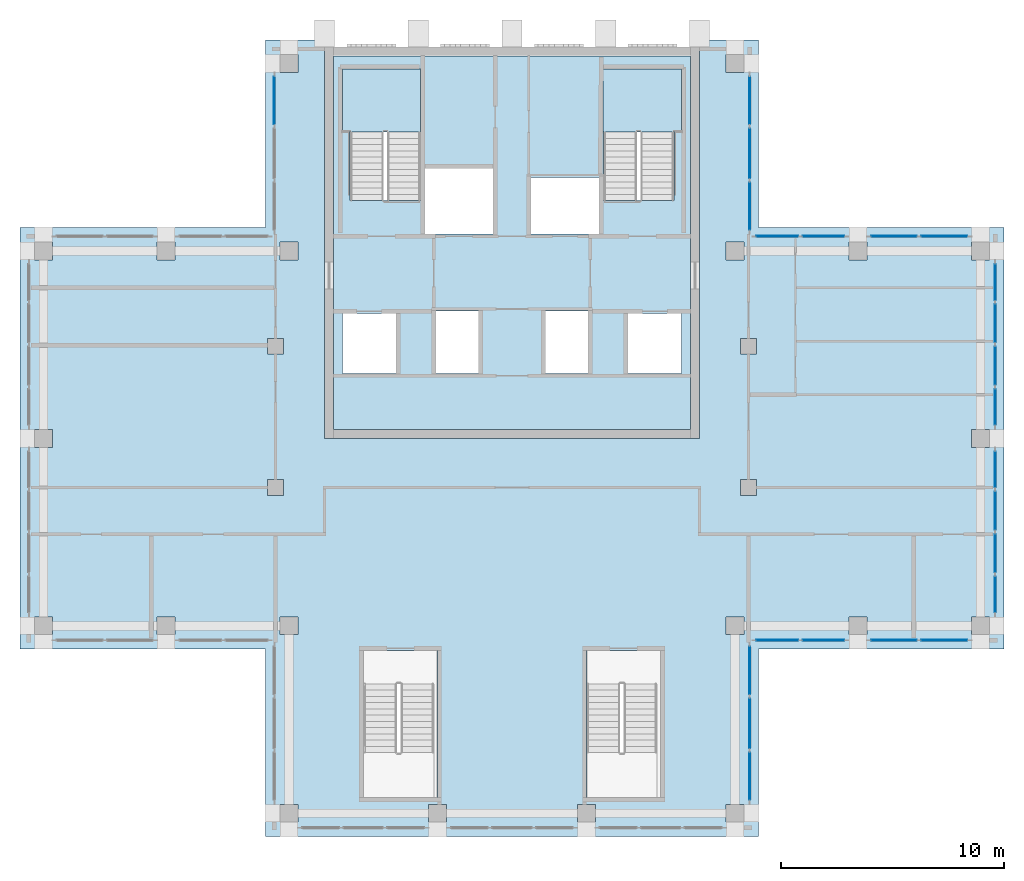
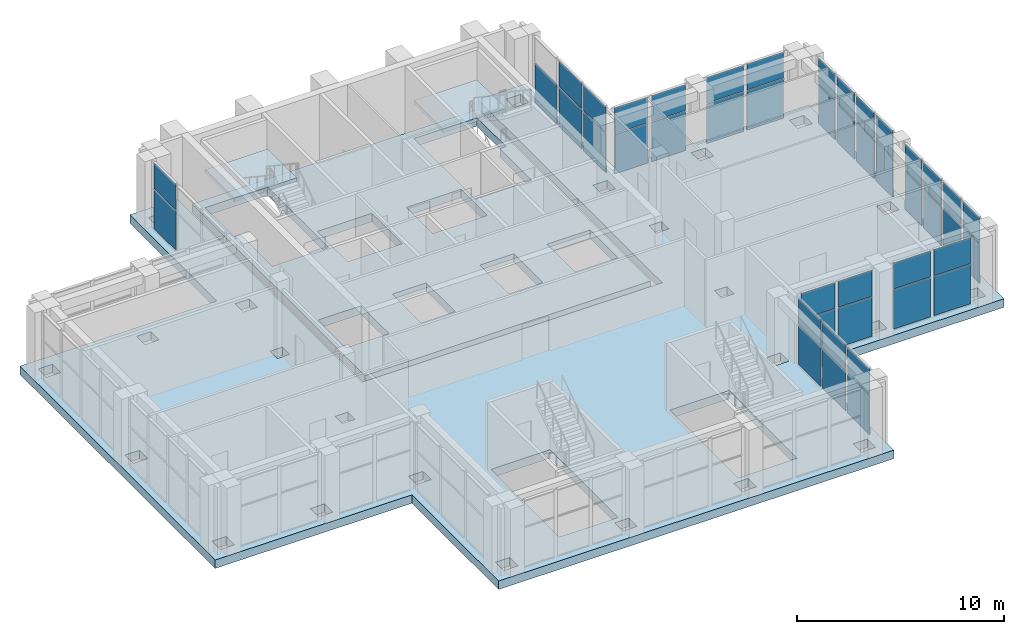
# One storey, part 8 of 14: 45 plates, 4 slabs, 11 elements without a shape of their own.
"""IFC4 building model written with IfcOpenShell, lengths in metres."""

from ifc_helpers import new_model, si_unit, direction, frame, origin, origin_2d, place, context, subcontext, project, spatial, polyline, rectangle, outline, extrude, material, layer, layer_set, type_object, element, aggregate, save


model = new_model("IFC4")

# Units and contexts
model_context = context("Model", 3, precision=1e-05, world=origin(), true_north=direction((0.0, 1.0)))
body_context = subcontext(model_context, "Body", "Model", "MODEL_VIEW")
ifc_project = project(units=[si_unit("LENGTHUNIT", "METRE"), si_unit("AREAUNIT", "SQUARE_METRE"), si_unit("VOLUMEUNIT", "CUBIC_METRE"), si_unit("PLANEANGLEUNIT", "RADIAN"), si_unit("MASSUNIT", "GRAM", prefix="KILO")], contexts=[model_context])

# Site, building, storey
site_placement = place(None, origin())
site = spatial("IfcSite", under=ifc_project, at=site_placement, CompositionType="ELEMENT")
building_placement = place(site_placement, origin())
building = spatial("IfcBuilding", under=site, at=building_placement, Name="Vermilion Ogive Tower", CompositionType="ELEMENT")
storey_placement = place(building_placement, frame((0.0, 0.0, 273.85009765625)))
storey = spatial("IfcBuildingStorey", under=building, at=storey_placement, Name="L72", CompositionType="ELEMENT", Elevation=273.85009765625)

# Curtain wall, plates
ifc_material_1 = material(Name="Laminated solar-control glazing in aluminium frame", Category="aluminium")
curtain_wall_type = type_object("IfcCurtainWallType", Name="Curtain wall CW4", PredefinedType="NOTDEFINED", material=ifc_material_1)
curtain_wall_1_placement = place(storey_placement, origin())
curtain_wall_1 = element("IfcCurtainWall", 1, at=curtain_wall_1_placement, inside=storey, type_object=curtain_wall_type, Name="CW4 glazing X11", PredefinedType="NOTDEFINED")
ifc_material_2 = material(Name="Laminated solar-control glazing in aluminium frame", Category="aluminium")
ifc_layer_1 = layer(ifc_material_2, 0.0400390625)
ifc_layer_set_1 = layer_set([ifc_layer_1], Name="CW4 glazing panel 40")
plate_type = type_object("IfcPlateType", Name="CW4 glazing panel 40", PredefinedType="CURTAIN_PANEL", material=ifc_layer_set_1)
plate_1_placement = place(storey_placement, frame((10.64990234375, -10.941650390625, 0.059814453125), z_axis=(0.0, 0.0, 1.0), x_axis=(0.0, 1.0, 0.0)))
plate_1 = element("IfcPlate", 2, at=plate_1_placement, type_object=plate_type, Name="CW4-X11 panel 1.1", PredefinedType="CURTAIN_PANEL", context=body_context, shape_type="SweptSolid", body=[
    extrude(rectangle(XDim=2.11669921875, YDim=0.0400390625, at=origin_2d()), origin(), (0.0, 0.0, 1.0), 2.31005859375),
])
plate_2_placement = place(storey_placement, frame((10.64990234375, -10.941650390625, 2.4296875), z_axis=(0.0, 0.0, 1.0), x_axis=(0.0, 1.0, 0.0)))
plate_2 = element("IfcPlate", 3, at=plate_2_placement, type_object=plate_type, Name="CW4-X11 panel 1.2", PredefinedType="CURTAIN_PANEL", context=body_context, shape_type="SweptSolid", body=[
    extrude(rectangle(XDim=2.11669921875, YDim=0.0400390625, at=origin_2d()), origin(), (0.0, 0.0, 1.0), 1.510009765625),
])
plate_3_placement = place(storey_placement, frame((10.64990234375, -8.574951171875, 0.059814453125), z_axis=(0.0, 0.0, 1.0), x_axis=(0.0, 1.0, 0.0)))
plate_3 = element("IfcPlate", 4, at=plate_3_placement, type_object=plate_type, Name="CW4-X11 panel 2.1", PredefinedType="CURTAIN_PANEL", context=body_context, shape_type="SweptSolid", body=[
    extrude(rectangle(XDim=2.216552734375, YDim=0.0400390625, at=origin_2d()), origin(), (0.0, 0.0, 1.0), 2.31005859375),
])
plate_4_placement = place(storey_placement, frame((10.64990234375, -8.574951171875, 2.4296875), z_axis=(0.0, 0.0, 1.0), x_axis=(0.0, 1.0, 0.0)))
plate_4 = element("IfcPlate", 5, at=plate_4_placement, type_object=plate_type, Name="CW4-X11 panel 2.2", PredefinedType="CURTAIN_PANEL", context=body_context, shape_type="SweptSolid", body=[
    extrude(rectangle(XDim=2.216552734375, YDim=0.0400390625, at=origin_2d()), origin(), (0.0, 0.0, 1.0), 1.510009765625),
])
plate_5_placement = place(storey_placement, frame((10.64990234375, -6.208251953125, 0.059814453125), z_axis=(0.0, 0.0, 1.0), x_axis=(0.0, 1.0, 0.0)))
plate_5 = element("IfcPlate", 6, at=plate_5_placement, type_object=plate_type, Name="CW4-X11 panel 3.1", PredefinedType="CURTAIN_PANEL", context=body_context, shape_type="SweptSolid", body=[
    extrude(rectangle(XDim=2.11669921875, YDim=0.0400390625, at=origin_2d()), origin(), (0.0, 0.0, 1.0), 2.31005859375),
])
plate_6_placement = place(storey_placement, frame((10.64990234375, -6.208251953125, 2.4296875), z_axis=(0.0, 0.0, 1.0), x_axis=(0.0, 1.0, 0.0)))
plate_6 = element("IfcPlate", 7, at=plate_6_placement, type_object=plate_type, Name="CW4-X11 panel 3.2", PredefinedType="CURTAIN_PANEL", context=body_context, shape_type="SweptSolid", body=[
    extrude(rectangle(XDim=2.11669921875, YDim=0.0400390625, at=origin_2d()), origin(), (0.0, 0.0, 1.0), 1.510009765625),
])
aggregate(curtain_wall_1, [plate_1, plate_2, plate_3, plate_4, plate_5, plate_6])

curtain_wall_2_placement = place(storey_placement, origin())
curtain_wall_2 = element("IfcCurtainWall", 8, at=curtain_wall_2_placement, inside=storey, type_object=curtain_wall_type, Name="CW4 glazing X21", PredefinedType="NOTDEFINED")
plate_7_placement = place(storey_placement, frame((11.887451171875, -4.85009765625, 0.059814453125), z_axis=(0.0, 0.0, 1.0), x_axis=(1.0, 0.0, 0.0)))
plate_7 = element("IfcPlate", 9, at=plate_7_placement, type_object=plate_type, Name="CW4-X21 panel 1.1", PredefinedType="CURTAIN_PANEL", context=body_context, shape_type="SweptSolid", body=[
    extrude(rectangle(XDim=1.875, YDim=0.0400390625, at=origin_2d()), origin(), (0.0, 0.0, 1.0), 2.31005859375),
])
plate_8_placement = place(storey_placement, frame((11.887451171875, -4.85009765625, 2.4296875), z_axis=(0.0, 0.0, 1.0), x_axis=(1.0, 0.0, 0.0)))
plate_8 = element("IfcPlate", 10, at=plate_8_placement, type_object=plate_type, Name="CW4-X21 panel 1.2", PredefinedType="CURTAIN_PANEL", context=body_context, shape_type="SweptSolid", body=[
    extrude(rectangle(XDim=1.875, YDim=0.0400390625, at=origin_2d()), origin(), (0.0, 0.0, 1.0), 1.510009765625),
])
plate_9_placement = place(storey_placement, frame((13.96240234375, -4.85009765625, 0.059814453125), z_axis=(0.0, 0.0, 1.0), x_axis=(1.0, 0.0, 0.0)))
plate_9 = element("IfcPlate", 11, at=plate_9_placement, type_object=plate_type, Name="CW4-X21 panel 2.1", PredefinedType="CURTAIN_PANEL", context=body_context, shape_type="SweptSolid", body=[
    extrude(rectangle(XDim=1.875, YDim=0.0400390625, at=origin_2d()), origin(), (0.0, 0.0, 1.0), 2.31005859375),
])
plate_10_placement = place(storey_placement, frame((13.96240234375, -4.85009765625, 2.4296875), z_axis=(0.0, 0.0, 1.0), x_axis=(1.0, 0.0, 0.0)))
plate_10 = element("IfcPlate", 12, at=plate_10_placement, type_object=plate_type, Name="CW4-X21 panel 2.2", PredefinedType="CURTAIN_PANEL", context=body_context, shape_type="SweptSolid", body=[
    extrude(rectangle(XDim=1.875, YDim=0.0400390625, at=origin_2d()), origin(), (0.0, 0.0, 1.0), 1.510009765625),
])
aggregate(curtain_wall_2, [plate_7, plate_8, plate_9, plate_10])

curtain_wall_3_placement = place(storey_placement, origin())
curtain_wall_3 = element("IfcCurtainWall", 13, at=curtain_wall_3_placement, inside=storey, type_object=curtain_wall_type, Name="CW4 glazing X22", PredefinedType="NOTDEFINED")
plate_11_placement = place(storey_placement, frame((17.125, -4.85009765625, 0.059814453125), z_axis=(0.0, 0.0, 1.0), x_axis=(1.0, 0.0, 0.0)))
plate_11 = element("IfcPlate", 14, at=plate_11_placement, type_object=plate_type, Name="CW4-X22 panel 1.1", PredefinedType="CURTAIN_PANEL", context=body_context, shape_type="SweptSolid", body=[
    extrude(rectangle(XDim=2.050048828125, YDim=0.0400390625, at=origin_2d()), origin(), (0.0, 0.0, 1.0), 2.31005859375),
])
plate_12_placement = place(storey_placement, frame((17.125, -4.85009765625, 2.4296875), z_axis=(0.0, 0.0, 1.0), x_axis=(1.0, 0.0, 0.0)))
plate_12 = element("IfcPlate", 15, at=plate_12_placement, type_object=plate_type, Name="CW4-X22 panel 1.2", PredefinedType="CURTAIN_PANEL", context=body_context, shape_type="SweptSolid", body=[
    extrude(rectangle(XDim=2.050048828125, YDim=0.0400390625, at=origin_2d()), origin(), (0.0, 0.0, 1.0), 1.510009765625),
])
plate_13_placement = place(storey_placement, frame((19.375, -4.85009765625, 0.059814453125), z_axis=(0.0, 0.0, 1.0), x_axis=(1.0, 0.0, 0.0)))
plate_13 = element("IfcPlate", 16, at=plate_13_placement, type_object=plate_type, Name="CW4-X22 panel 2.1", PredefinedType="CURTAIN_PANEL", context=body_context, shape_type="SweptSolid", body=[
    extrude(rectangle(XDim=2.050048828125, YDim=0.0400390625, at=origin_2d()), origin(), (0.0, 0.0, 1.0), 2.31005859375),
])
plate_14_placement = place(storey_placement, frame((19.375, -4.85009765625, 2.4296875), z_axis=(0.0, 0.0, 1.0), x_axis=(1.0, 0.0, 0.0)))
plate_14 = element("IfcPlate", 17, at=plate_14_placement, type_object=plate_type, Name="CW4-X22 panel 2.2", PredefinedType="CURTAIN_PANEL", context=body_context, shape_type="SweptSolid", body=[
    extrude(rectangle(XDim=2.050048828125, YDim=0.0400390625, at=origin_2d()), origin(), (0.0, 0.0, 1.0), 1.510009765625),
])
aggregate(curtain_wall_3, [plate_11, plate_12, plate_13, plate_14])

curtain_wall_4_placement = place(storey_placement, origin())
curtain_wall_4 = element("IfcCurtainWall", 18, at=curtain_wall_4_placement, inside=storey, type_object=curtain_wall_type, Name="CW4 glazing E1", PredefinedType="NOTDEFINED")
plate_15_placement = place(storey_placement, frame((21.64990234375, -2.800048828125, 0.059814453125), z_axis=(0.0, 0.0, 1.0), x_axis=(0.0, 1.0, 0.0)))
plate_15 = element("IfcPlate", 19, at=plate_15_placement, type_object=plate_type, Name="CW4-E1 panel 1.1", PredefinedType="CURTAIN_PANEL", context=body_context, shape_type="SweptSolid", body=[
    extrude(rectangle(XDim=1.60009765625, YDim=0.0400390625, at=origin_2d()), origin(), (0.0, 0.0, 1.0), 2.31005859375),
])
plate_16_placement = place(storey_placement, frame((21.64990234375, -2.800048828125, 2.4296875), z_axis=(0.0, 0.0, 1.0), x_axis=(0.0, 1.0, 0.0)))
plate_16 = element("IfcPlate", 20, at=plate_16_placement, type_object=plate_type, Name="CW4-E1 panel 1.2", PredefinedType="CURTAIN_PANEL", context=body_context, shape_type="SweptSolid", body=[
    extrude(rectangle(XDim=1.60009765625, YDim=0.0400390625, at=origin_2d()), origin(), (0.0, 0.0, 1.0), 1.510009765625),
])
plate_17_placement = place(storey_placement, frame((21.64990234375, -0.949951171875, 0.059814453125), z_axis=(0.0, 0.0, 1.0), x_axis=(0.0, 1.0, 0.0)))
plate_17 = element("IfcPlate", 21, at=plate_17_placement, type_object=plate_type, Name="CW4-E1 panel 2.1", PredefinedType="CURTAIN_PANEL", context=body_context, shape_type="SweptSolid", body=[
    extrude(rectangle(XDim=1.699951171875, YDim=0.0400390625, at=origin_2d()), origin(), (0.0, 0.0, 1.0), 2.31005859375),
])
plate_18_placement = place(storey_placement, frame((21.64990234375, -0.949951171875, 2.4296875), z_axis=(0.0, 0.0, 1.0), x_axis=(0.0, 1.0, 0.0)))
plate_18 = element("IfcPlate", 22, at=plate_18_placement, type_object=plate_type, Name="CW4-E1 panel 2.2", PredefinedType="CURTAIN_PANEL", context=body_context, shape_type="SweptSolid", body=[
    extrude(rectangle(XDim=1.699951171875, YDim=0.0400390625, at=origin_2d()), origin(), (0.0, 0.0, 1.0), 1.510009765625),
])
plate_19_placement = place(storey_placement, frame((21.64990234375, 0.949951171875, 0.059814453125), z_axis=(0.0, 0.0, 1.0), x_axis=(0.0, 1.0, 0.0)))
plate_19 = element("IfcPlate", 23, at=plate_19_placement, type_object=plate_type, Name="CW4-E1 panel 3.1", PredefinedType="CURTAIN_PANEL", context=body_context, shape_type="SweptSolid", body=[
    extrude(rectangle(XDim=1.699951171875, YDim=0.0400390625, at=origin_2d()), origin(), (0.0, 0.0, 1.0), 2.31005859375),
])
plate_20_placement = place(storey_placement, frame((21.64990234375, 0.949951171875, 2.4296875), z_axis=(0.0, 0.0, 1.0), x_axis=(0.0, 1.0, 0.0)))
plate_20 = element("IfcPlate", 24, at=plate_20_placement, type_object=plate_type, Name="CW4-E1 panel 3.2", PredefinedType="CURTAIN_PANEL", context=body_context, shape_type="SweptSolid", body=[
    extrude(rectangle(XDim=1.699951171875, YDim=0.0400390625, at=origin_2d()), origin(), (0.0, 0.0, 1.0), 1.510009765625),
])
plate_21_placement = place(storey_placement, frame((21.64990234375, 2.800048828125, 0.059814453125), z_axis=(0.0, 0.0, 1.0), x_axis=(0.0, 1.0, 0.0)))
plate_21 = element("IfcPlate", 25, at=plate_21_placement, type_object=plate_type, Name="CW4-E1 panel 4.1", PredefinedType="CURTAIN_PANEL", context=body_context, shape_type="SweptSolid", body=[
    extrude(rectangle(XDim=1.60009765625, YDim=0.0400390625, at=origin_2d()), origin(), (0.0, 0.0, 1.0), 2.31005859375),
])
plate_22_placement = place(storey_placement, frame((21.64990234375, 2.800048828125, 2.4296875), z_axis=(0.0, 0.0, 1.0), x_axis=(0.0, 1.0, 0.0)))
plate_22 = element("IfcPlate", 26, at=plate_22_placement, type_object=plate_type, Name="CW4-E1 panel 4.2", PredefinedType="CURTAIN_PANEL", context=body_context, shape_type="SweptSolid", body=[
    extrude(rectangle(XDim=1.60009765625, YDim=0.0400390625, at=origin_2d()), origin(), (0.0, 0.0, 1.0), 1.510009765625),
])
aggregate(curtain_wall_4, [plate_15, plate_16, plate_17, plate_18, plate_19, plate_20, plate_21, plate_22])

curtain_wall_5_placement = place(storey_placement, origin())
curtain_wall_5 = element("IfcCurtainWall", 27, at=curtain_wall_5_placement, inside=storey, type_object=curtain_wall_type, Name="CW4 glazing E2", PredefinedType="NOTDEFINED")
plate_23_placement = place(storey_placement, frame((21.64990234375, 5.60009765625, 0.059814453125), z_axis=(0.0, 0.0, 1.0), x_axis=(0.0, 1.0, 0.0)))
plate_23 = element("IfcPlate", 28, at=plate_23_placement, type_object=plate_type, Name="CW4-E2 panel 1.1", PredefinedType="CURTAIN_PANEL", context=body_context, shape_type="SweptSolid", body=[
    extrude(rectangle(XDim=1.60009765625, YDim=0.0400390625, at=origin_2d()), origin(), (0.0, 0.0, 1.0), 2.31005859375),
])
plate_24_placement = place(storey_placement, frame((21.64990234375, 5.60009765625, 2.4296875), z_axis=(0.0, 0.0, 1.0), x_axis=(0.0, 1.0, 0.0)))
plate_24 = element("IfcPlate", 29, at=plate_24_placement, type_object=plate_type, Name="CW4-E2 panel 1.2", PredefinedType="CURTAIN_PANEL", context=body_context, shape_type="SweptSolid", body=[
    extrude(rectangle(XDim=1.60009765625, YDim=0.0400390625, at=origin_2d()), origin(), (0.0, 0.0, 1.0), 1.510009765625),
])
plate_25_placement = place(storey_placement, frame((21.64990234375, 7.449951171875, 0.059814453125), z_axis=(0.0, 0.0, 1.0), x_axis=(0.0, 1.0, 0.0)))
plate_25 = element("IfcPlate", 30, at=plate_25_placement, type_object=plate_type, Name="CW4-E2 panel 2.1", PredefinedType="CURTAIN_PANEL", context=body_context, shape_type="SweptSolid", body=[
    extrude(rectangle(XDim=1.699951171875, YDim=0.0400390625, at=origin_2d()), origin(), (0.0, 0.0, 1.0), 2.31005859375),
])
plate_26_placement = place(storey_placement, frame((21.64990234375, 7.449951171875, 2.4296875), z_axis=(0.0, 0.0, 1.0), x_axis=(0.0, 1.0, 0.0)))
plate_26 = element("IfcPlate", 31, at=plate_26_placement, type_object=plate_type, Name="CW4-E2 panel 2.2", PredefinedType="CURTAIN_PANEL", context=body_context, shape_type="SweptSolid", body=[
    extrude(rectangle(XDim=1.699951171875, YDim=0.0400390625, at=origin_2d()), origin(), (0.0, 0.0, 1.0), 1.510009765625),
])
plate_27_placement = place(storey_placement, frame((21.64990234375, 9.35009765625, 0.059814453125), z_axis=(0.0, 0.0, 1.0), x_axis=(0.0, 1.0, 0.0)))
plate_27 = element("IfcPlate", 32, at=plate_27_placement, type_object=plate_type, Name="CW4-E2 panel 3.1", PredefinedType="CURTAIN_PANEL", context=body_context, shape_type="SweptSolid", body=[
    extrude(rectangle(XDim=1.699951171875, YDim=0.0400390625, at=origin_2d()), origin(), (0.0, 0.0, 1.0), 2.31005859375),
])
plate_28_placement = place(storey_placement, frame((21.64990234375, 9.35009765625, 2.4296875), z_axis=(0.0, 0.0, 1.0), x_axis=(0.0, 1.0, 0.0)))
plate_28 = element("IfcPlate", 33, at=plate_28_placement, type_object=plate_type, Name="CW4-E2 panel 3.2", PredefinedType="CURTAIN_PANEL", context=body_context, shape_type="SweptSolid", body=[
    extrude(rectangle(XDim=1.699951171875, YDim=0.0400390625, at=origin_2d()), origin(), (0.0, 0.0, 1.0), 1.510009765625),
])
plate_29_placement = place(storey_placement, frame((21.64990234375, 11.199951171875, 0.059814453125), z_axis=(0.0, 0.0, 1.0), x_axis=(0.0, 1.0, 0.0)))
plate_29 = element("IfcPlate", 34, at=plate_29_placement, type_object=plate_type, Name="CW4-E2 panel 4.1", PredefinedType="CURTAIN_PANEL", context=body_context, shape_type="SweptSolid", body=[
    extrude(rectangle(XDim=1.60009765625, YDim=0.0400390625, at=origin_2d()), origin(), (0.0, 0.0, 1.0), 2.31005859375),
])
plate_30_placement = place(storey_placement, frame((21.64990234375, 11.199951171875, 2.4296875), z_axis=(0.0, 0.0, 1.0), x_axis=(0.0, 1.0, 0.0)))
plate_30 = element("IfcPlate", 35, at=plate_30_placement, type_object=plate_type, Name="CW4-E2 panel 4.2", PredefinedType="CURTAIN_PANEL", context=body_context, shape_type="SweptSolid", body=[
    extrude(rectangle(XDim=1.60009765625, YDim=0.0400390625, at=origin_2d()), origin(), (0.0, 0.0, 1.0), 1.510009765625),
])
aggregate(curtain_wall_5, [plate_23, plate_24, plate_25, plate_26, plate_27, plate_28, plate_29, plate_30])

curtain_wall_6_placement = place(storey_placement, origin())
curtain_wall_6 = element("IfcCurtainWall", 36, at=curtain_wall_6_placement, inside=storey, type_object=curtain_wall_type, Name="CW4 glazing X31", PredefinedType="NOTDEFINED")
plate_31_placement = place(storey_placement, frame((19.375, 13.25, 0.059814453125), z_axis=(0.0, 0.0, 1.0), x_axis=(-1.0, 0.0, 0.0)))
plate_31 = element("IfcPlate", 37, at=plate_31_placement, type_object=plate_type, Name="CW4-X31 panel 1.1", PredefinedType="CURTAIN_PANEL", context=body_context, shape_type="SweptSolid", body=[
    extrude(rectangle(XDim=2.050048828125, YDim=0.0400390625, at=origin_2d()), origin(), (0.0, 0.0, 1.0), 2.31005859375),
])
plate_32_placement = place(storey_placement, frame((19.375, 13.25, 2.4296875), z_axis=(0.0, 0.0, 1.0), x_axis=(-1.0, 0.0, 0.0)))
plate_32 = element("IfcPlate", 38, at=plate_32_placement, type_object=plate_type, Name="CW4-X31 panel 1.2", PredefinedType="CURTAIN_PANEL", context=body_context, shape_type="SweptSolid", body=[
    extrude(rectangle(XDim=2.050048828125, YDim=0.0400390625, at=origin_2d()), origin(), (0.0, 0.0, 1.0), 1.510009765625),
])
plate_33_placement = place(storey_placement, frame((17.125, 13.25, 0.059814453125), z_axis=(0.0, 0.0, 1.0), x_axis=(-1.0, 0.0, 0.0)))
plate_33 = element("IfcPlate", 39, at=plate_33_placement, type_object=plate_type, Name="CW4-X31 panel 2.1", PredefinedType="CURTAIN_PANEL", context=body_context, shape_type="SweptSolid", body=[
    extrude(rectangle(XDim=2.050048828125, YDim=0.0400390625, at=origin_2d()), origin(), (0.0, 0.0, 1.0), 2.31005859375),
])
plate_34_placement = place(storey_placement, frame((17.125, 13.25, 2.4296875), z_axis=(0.0, 0.0, 1.0), x_axis=(-1.0, 0.0, 0.0)))
plate_34 = element("IfcPlate", 40, at=plate_34_placement, type_object=plate_type, Name="CW4-X31 panel 2.2", PredefinedType="CURTAIN_PANEL", context=body_context, shape_type="SweptSolid", body=[
    extrude(rectangle(XDim=2.050048828125, YDim=0.0400390625, at=origin_2d()), origin(), (0.0, 0.0, 1.0), 1.510009765625),
])
aggregate(curtain_wall_6, [plate_31, plate_32, plate_33, plate_34])

curtain_wall_7_placement = place(storey_placement, origin())
curtain_wall_7 = element("IfcCurtainWall", 41, at=curtain_wall_7_placement, inside=storey, type_object=curtain_wall_type, Name="CW4 glazing X32", PredefinedType="NOTDEFINED")
plate_35_placement = place(storey_placement, frame((13.96240234375, 13.25, 0.059814453125), z_axis=(0.0, 0.0, 1.0), x_axis=(-1.0, 0.0, 0.0)))
plate_35 = element("IfcPlate", 42, at=plate_35_placement, type_object=plate_type, Name="CW4-X32 panel 1.1", PredefinedType="CURTAIN_PANEL", context=body_context, shape_type="SweptSolid", body=[
    extrude(rectangle(XDim=1.875, YDim=0.0400390625, at=origin_2d()), origin(), (0.0, 0.0, 1.0), 2.31005859375),
])
plate_36_placement = place(storey_placement, frame((13.96240234375, 13.25, 2.4296875), z_axis=(0.0, 0.0, 1.0), x_axis=(-1.0, 0.0, 0.0)))
plate_36 = element("IfcPlate", 43, at=plate_36_placement, type_object=plate_type, Name="CW4-X32 panel 1.2", PredefinedType="CURTAIN_PANEL", context=body_context, shape_type="SweptSolid", body=[
    extrude(rectangle(XDim=1.875, YDim=0.0400390625, at=origin_2d()), origin(), (0.0, 0.0, 1.0), 1.510009765625),
])
plate_37_placement = place(storey_placement, frame((11.887451171875, 13.25, 0.059814453125), z_axis=(0.0, 0.0, 1.0), x_axis=(-1.0, 0.0, 0.0)))
plate_37 = element("IfcPlate", 44, at=plate_37_placement, type_object=plate_type, Name="CW4-X32 panel 2.1", PredefinedType="CURTAIN_PANEL", context=body_context, shape_type="SweptSolid", body=[
    extrude(rectangle(XDim=1.875, YDim=0.0400390625, at=origin_2d()), origin(), (0.0, 0.0, 1.0), 2.31005859375),
])
plate_38_placement = place(storey_placement, frame((11.887451171875, 13.25, 2.4296875), z_axis=(0.0, 0.0, 1.0), x_axis=(-1.0, 0.0, 0.0)))
plate_38 = element("IfcPlate", 45, at=plate_38_placement, type_object=plate_type, Name="CW4-X32 panel 2.2", PredefinedType="CURTAIN_PANEL", context=body_context, shape_type="SweptSolid", body=[
    extrude(rectangle(XDim=1.875, YDim=0.0400390625, at=origin_2d()), origin(), (0.0, 0.0, 1.0), 1.510009765625),
])
aggregate(curtain_wall_7, [plate_35, plate_36, plate_37, plate_38])

curtain_wall_8_placement = place(storey_placement, origin())
curtain_wall_8 = element("IfcCurtainWall", 46, at=curtain_wall_8_placement, inside=storey, type_object=curtain_wall_type, Name="CW4 glazing X41", PredefinedType="NOTDEFINED")
plate_39_placement = place(storey_placement, frame((10.64990234375, 14.6083984375, 0.059814453125), z_axis=(0.0, 0.0, 1.0), x_axis=(0.0, 1.0, 0.0)))
plate_39 = element("IfcPlate", 47, at=plate_39_placement, type_object=plate_type, Name="CW4-X41 panel 1.1", PredefinedType="CURTAIN_PANEL", context=body_context, shape_type="SweptSolid", body=[
    extrude(rectangle(XDim=2.11669921875, YDim=0.0400390625, at=origin_2d()), origin(), (0.0, 0.0, 1.0), 2.31005859375),
])
plate_40_placement = place(storey_placement, frame((10.64990234375, 14.6083984375, 2.4296875), z_axis=(0.0, 0.0, 1.0), x_axis=(0.0, 1.0, 0.0)))
plate_40 = element("IfcPlate", 48, at=plate_40_placement, type_object=plate_type, Name="CW4-X41 panel 1.2", PredefinedType="CURTAIN_PANEL", context=body_context, shape_type="SweptSolid", body=[
    extrude(rectangle(XDim=2.11669921875, YDim=0.0400390625, at=origin_2d()), origin(), (0.0, 0.0, 1.0), 1.510009765625),
])
plate_41_placement = place(storey_placement, frame((10.64990234375, 16.97509765625, 0.059814453125), z_axis=(0.0, 0.0, 1.0), x_axis=(0.0, 1.0, 0.0)))
plate_41 = element("IfcPlate", 49, at=plate_41_placement, type_object=plate_type, Name="CW4-X41 panel 2.1", PredefinedType="CURTAIN_PANEL", context=body_context, shape_type="SweptSolid", body=[
    extrude(rectangle(XDim=2.216552734375, YDim=0.0400390625, at=origin_2d()), origin(), (0.0, 0.0, 1.0), 2.31005859375),
])
plate_42_placement = place(storey_placement, frame((10.64990234375, 16.97509765625, 2.4296875), z_axis=(0.0, 0.0, 1.0), x_axis=(0.0, 1.0, 0.0)))
plate_42 = element("IfcPlate", 50, at=plate_42_placement, type_object=plate_type, Name="CW4-X41 panel 2.2", PredefinedType="CURTAIN_PANEL", context=body_context, shape_type="SweptSolid", body=[
    extrude(rectangle(XDim=2.216552734375, YDim=0.0400390625, at=origin_2d()), origin(), (0.0, 0.0, 1.0), 1.510009765625),
])
plate_43_placement = place(storey_placement, frame((10.64990234375, 19.341552734375, 0.059814453125), z_axis=(0.0, 0.0, 1.0), x_axis=(0.0, 1.0, 0.0)))
plate_43 = element("IfcPlate", 51, at=plate_43_placement, type_object=plate_type, Name="CW4-X41 panel 3.1", PredefinedType="CURTAIN_PANEL", context=body_context, shape_type="SweptSolid", body=[
    extrude(rectangle(XDim=2.11669921875, YDim=0.0400390625, at=origin_2d()), origin(), (0.0, 0.0, 1.0), 2.31005859375),
])
aggregate(curtain_wall_8, [plate_39, plate_40, plate_41, plate_42, plate_43])

curtain_wall_9_placement = place(storey_placement, origin())
curtain_wall_9 = element("IfcCurtainWall", 52, at=curtain_wall_9_placement, inside=storey, type_object=curtain_wall_type, Name="CW4 glazing X51", PredefinedType="NOTDEFINED")
plate_44_placement = place(storey_placement, frame((-10.64990234375, 19.341552734375, 0.059814453125), z_axis=(0.0, 0.0, 1.0), x_axis=(0.0, -1.0, 0.0)))
plate_44 = element("IfcPlate", 53, at=plate_44_placement, type_object=plate_type, Name="CW4-X51 panel 1.1", PredefinedType="CURTAIN_PANEL", context=body_context, shape_type="SweptSolid", body=[
    extrude(rectangle(XDim=2.11669921875, YDim=0.0400390625, at=origin_2d()), origin(), (0.0, 0.0, 1.0), 2.31005859375),
])
plate_45_placement = place(storey_placement, frame((-10.64990234375, 19.341552734375, 2.4296875), z_axis=(0.0, 0.0, 1.0), x_axis=(0.0, -1.0, 0.0)))
plate_45 = element("IfcPlate", 54, at=plate_45_placement, type_object=plate_type, Name="CW4-X51 panel 1.2", PredefinedType="CURTAIN_PANEL", context=body_context, shape_type="SweptSolid", body=[
    extrude(rectangle(XDim=2.11669921875, YDim=0.0400390625, at=origin_2d()), origin(), (0.0, 0.0, 1.0), 1.510009765625),
])
aggregate(curtain_wall_9, [plate_44, plate_45])

# Slabs
ifc_material_3 = material(Name="Concrete B40", Category="concrete")
ifc_layer_2 = layer(ifc_material_3, 0.5)
ifc_layer_set_2 = layer_set([ifc_layer_2], Name="Core floor slab 500 B40")
slab_type_1 = type_object("IfcSlabType", Name="Core floor slab 500 B40", PredefinedType="FLOOR", material=ifc_layer_set_2)
slab_1_placement = place(storey_placement, frame((0.0, 0.0, -0.5)))
element("IfcSlab", 55, at=slab_1_placement, inside=storey, type_object=slab_type_1, Name="L72-CK-FS1", PredefinedType="FLOOR", context=body_context, shape_type="SweptSolid", body=[
    extrude(outline(polyline([(-7.99609375, 4.60400390625), (7.99609375, 4.60400390625), (7.99609375, 21.345947265625), (-7.99609375, 21.345947265625), (-7.99609375, 4.60400390625)]), holes=[polyline([(-5.199951171875, 7.10009765625), (-7.60009765625, 7.10009765625), (-7.60009765625, 9.800048828125), (-5.199951171875, 9.800048828125), (-5.199951171875, 7.10009765625)]), polyline([(5.199951171875, 7.10009765625), (5.199951171875, 9.800048828125), (7.60009765625, 9.800048828125), (7.60009765625, 7.10009765625), (5.199951171875, 7.10009765625)]), polyline([(-3.39990234375, 7.10009765625), (-3.39990234375, 9.89990234375), (-1.5, 9.89990234375), (-1.5, 7.10009765625), (-3.39990234375, 7.10009765625)]), polyline([(3.39990234375, 7.10009765625), (1.5, 7.10009765625), (1.5, 9.89990234375), (3.39990234375, 9.89990234375), (3.39990234375, 7.10009765625)]), polyline([(3.89990234375, 13.35009765625), (0.85009765625, 13.35009765625), (0.85009765625, 15.89990234375), (3.89990234375, 15.89990234375), (3.89990234375, 13.35009765625)]), polyline([(-0.85009765625, 13.35009765625), (-3.89990234375, 13.35009765625), (-3.89990234375, 16.300048828125), (-0.85009765625, 16.300048828125), (-0.85009765625, 13.35009765625)]), polyline([(-7.60009765625, 17.929931640625), (-7.60009765625, 20.75), (-4.10009765625, 20.75), (-4.10009765625, 14.85205078125), (-5.60009765625, 14.85205078125), (-5.60009765625, 14.85009765625), (-5.75, 14.85009765625), (-5.75, 14.85205078125), (-7.25, 14.85205078125), (-7.25, 17.929931640625), (-7.60009765625, 17.929931640625)]), polyline([(5.75, 14.85009765625), (5.60009765625, 14.85009765625), (5.60009765625, 14.85205078125), (4.10009765625, 14.85205078125), (4.10009765625, 17.929931640625), (4.074951171875, 17.929931640625), (4.074951171875, 20.75), (7.60009765625, 20.75), (7.60009765625, 17.929931640625), (7.25, 17.929931640625), (7.25, 14.85205078125), (5.75, 14.85205078125), (5.75, 14.85009765625)])]), origin(), (0.0, 0.0, 1.0), 0.5),
])
ifc_material_4 = material(Name="Concrete B45", Category="concrete")
ifc_layer_3 = layer(ifc_material_4, 0.5)
ifc_layer_set_3 = layer_set([ifc_layer_3], Name="Post-tensioned flat plate 500 B45")
slab_type_2 = type_object("IfcSlabType", Name="Post-tensioned flat plate 500 B45", PredefinedType="FLOOR", material=ifc_layer_set_3)
slab_2_placement = place(storey_placement, frame((0.0, 0.0, -0.5)))
element("IfcSlab", 56, at=slab_2_placement, inside=storey, type_object=slab_type_2, Name="L72-SL-1", PredefinedType="FLOOR", context=body_context, shape_type="SweptSolid", body=[
    extrude(outline(polyline([(-11.050048828125, -5.25), (-22.050048828125, -5.25), (-22.050048828125, 13.64990234375), (-11.050048828125, 13.64990234375), (-11.050048828125, 22.050048828125), (-8.39990234375, 22.050048828125), (-8.39990234375, 4.199951171875), (8.39990234375, 4.199951171875), (8.39990234375, 22.050048828125), (11.050048828125, 22.050048828125), (11.050048828125, 13.64990234375), (22.050048828125, 13.64990234375), (22.050048828125, -5.25), (11.050048828125, -5.25), (11.050048828125, -13.64990234375), (-11.050048828125, -13.64990234375), (-11.050048828125, -5.25)]), holes=[polyline([(21.39990234375, 12.199951171875), (21.39990234375, 13.0), (20.60009765625, 13.0), (20.60009765625, 12.199951171875), (21.39990234375, 12.199951171875)]), polyline([(21.39990234375, 3.800048828125), (21.39990234375, 4.60009765625), (20.60009765625, 4.60009765625), (20.60009765625, 3.800048828125), (21.39990234375, 3.800048828125)]), polyline([(21.39990234375, -4.60009765625), (21.39990234375, -3.800048828125), (20.60009765625, -3.800048828125), (20.60009765625, -4.60009765625), (21.39990234375, -4.60009765625)]), polyline([(15.89990234375, 12.199951171875), (15.89990234375, 13.0), (15.10009765625, 13.0), (15.10009765625, 12.199951171875), (15.89990234375, 12.199951171875)]), polyline([(15.89990234375, -4.60009765625), (15.89990234375, -3.800048828125), (15.10009765625, -3.800048828125), (15.10009765625, -4.60009765625), (15.89990234375, -4.60009765625)]), polyline([(10.949951171875, 7.9833984375), (10.949951171875, 8.683349609375), (10.25, 8.683349609375), (10.25, 7.9833984375), (10.949951171875, 7.9833984375)]), polyline([(10.949951171875, 1.64990234375), (10.949951171875, 2.35009765625), (10.25, 2.35009765625), (10.25, 1.64990234375), (10.949951171875, 1.64990234375)]), polyline([(10.39990234375, 20.60009765625), (10.39990234375, 21.39990234375), (9.60009765625, 21.39990234375), (9.60009765625, 20.60009765625), (10.39990234375, 20.60009765625)]), polyline([(10.39990234375, 12.199951171875), (10.39990234375, 13.0), (9.60009765625, 13.0), (9.60009765625, 12.199951171875), (10.39990234375, 12.199951171875)]), polyline([(10.39990234375, -4.60009765625), (10.39990234375, -3.800048828125), (9.60009765625, -3.800048828125), (9.60009765625, -4.60009765625), (10.39990234375, -4.60009765625)]), polyline([(10.39990234375, -13.0), (10.39990234375, -12.199951171875), (9.60009765625, -12.199951171875), (9.60009765625, -13.0), (10.39990234375, -13.0)]), polyline([(6.64990234375, -11.89990234375), (6.64990234375, -5.300048828125), (3.35009765625, -5.300048828125), (3.35009765625, -11.89990234375), (6.64990234375, -11.89990234375)]), polyline([(3.7333984375, -13.0), (3.7333984375, -12.199951171875), (2.933349609375, -12.199951171875), (2.933349609375, -13.0), (3.7333984375, -13.0)]), polyline([(-2.933349609375, -13.0), (-2.933349609375, -12.199951171875), (-3.7333984375, -12.199951171875), (-3.7333984375, -13.0), (-2.933349609375, -13.0)]), polyline([(-3.35009765625, -11.89990234375), (-3.35009765625, -5.300048828125), (-6.64990234375, -5.300048828125), (-6.64990234375, -11.89990234375), (-3.35009765625, -11.89990234375)]), polyline([(-9.60009765625, 20.60009765625), (-9.60009765625, 21.39990234375), (-10.39990234375, 21.39990234375), (-10.39990234375, 20.60009765625), (-9.60009765625, 20.60009765625)]), polyline([(-9.60009765625, 12.199951171875), (-9.60009765625, 13.0), (-10.39990234375, 13.0), (-10.39990234375, 12.199951171875), (-9.60009765625, 12.199951171875)]), polyline([(-9.60009765625, -4.60009765625), (-9.60009765625, -3.800048828125), (-10.39990234375, -3.800048828125), (-10.39990234375, -4.60009765625), (-9.60009765625, -4.60009765625)]), polyline([(-9.60009765625, -12.199951171875), (-10.39990234375, -12.199951171875), (-10.39990234375, -13.0), (-9.60009765625, -13.0), (-9.60009765625, -12.199951171875)]), polyline([(-10.25, 7.9833984375), (-10.25, 8.683349609375), (-10.949951171875, 8.683349609375), (-10.949951171875, 7.9833984375), (-10.25, 7.9833984375)]), polyline([(-10.25, 1.64990234375), (-10.25, 2.35009765625), (-10.949951171875, 2.35009765625), (-10.949951171875, 1.64990234375), (-10.25, 1.64990234375)]), polyline([(-15.10009765625, 12.199951171875), (-15.10009765625, 13.0), (-15.89990234375, 13.0), (-15.89990234375, 12.199951171875), (-15.10009765625, 12.199951171875)]), polyline([(-15.10009765625, -4.60009765625), (-15.10009765625, -3.800048828125), (-15.89990234375, -3.800048828125), (-15.89990234375, -4.60009765625), (-15.10009765625, -4.60009765625)]), polyline([(-20.60009765625, -4.60009765625), (-20.60009765625, -3.800048828125), (-21.39990234375, -3.800048828125), (-21.39990234375, -4.60009765625), (-20.60009765625, -4.60009765625)]), polyline([(-20.60009765625, 12.199951171875), (-20.60009765625, 13.0), (-21.39990234375, 13.0), (-21.39990234375, 12.199951171875), (-20.60009765625, 12.199951171875)]), polyline([(-20.60009765625, 3.800048828125), (-20.60009765625, 4.60009765625), (-21.39990234375, 4.60009765625), (-21.39990234375, 3.800048828125), (-20.60009765625, 3.800048828125)])]), origin(), (0.0, 0.0, 1.0), 0.5),
])

# Stair, slab
ifc_material_5 = material(Name="Concrete B40", Category="concrete")
stair_type = type_object("IfcStairType", Name="Exit stair 1500", PredefinedType="HALF_TURN_STAIR", material=ifc_material_5)
stair_1_placement = place(storey_placement, origin())
stair_1 = element("IfcStair", 57, at=stair_1_placement, inside=storey, type_object=stair_type, Name="L72 Exit Stair ST1", PredefinedType="HALF_TURN_STAIR")
ifc_material_6 = material(Name="Concrete B40", Category="concrete")
ifc_layer_4 = layer(ifc_material_6, 0.199951171875)
ifc_layer_set_4 = layer_set([ifc_layer_4], Name="Stair landing 200")
slab_type_3 = type_object("IfcSlabType", Name="Stair landing 200", PredefinedType="LANDING", material=ifc_layer_set_4)
slab_3_placement = place(storey_placement, frame((0.0, 0.0, 2.0498046875)))
slab_3 = element("IfcSlab", 58, at=slab_3_placement, type_object=slab_type_3, Name="ST1 landing 1", PredefinedType="LANDING", context=body_context, shape_type="SweptSolid", body=[
    extrude(outline(polyline([(-7.60009765625, 17.929931640625), (-7.25, 17.929931640625), (-7.25, 17.927978515625), (-5.75, 17.927978515625), (-5.75, 17.929931640625), (-5.60009765625, 17.929931640625), (-5.60009765625, 17.927978515625), (-4.10009765625, 17.927978515625), (-4.10009765625, 20.75), (-7.60009765625, 20.75), (-7.60009765625, 17.929931640625)])), origin(), (0.0, 0.0, 1.0), 0.2001953125),
])
aggregate(stair_1, [slab_3])

stair_2_placement = place(storey_placement, origin())
stair_2 = element("IfcStair", 59, at=stair_2_placement, inside=storey, type_object=stair_type, Name="L72 Exit Stair ST2", PredefinedType="HALF_TURN_STAIR")
slab_4_placement = place(storey_placement, frame((0.0, 0.0, 2.0498046875)))
slab_4 = element("IfcSlab", 60, at=slab_4_placement, type_object=slab_type_3, Name="ST2 landing 1", PredefinedType="LANDING", context=body_context, shape_type="SweptSolid", body=[
    extrude(outline(polyline([(5.60009765625, 17.929931640625), (5.75, 17.929931640625), (5.75, 17.927978515625), (7.25, 17.927978515625), (7.25, 17.929931640625), (7.60009765625, 17.929931640625), (7.60009765625, 20.75), (4.074951171875, 20.75), (4.074951171875, 17.929931640625), (4.10009765625, 17.929931640625), (4.10009765625, 17.927978515625), (5.60009765625, 17.927978515625), (5.60009765625, 17.929931640625)])), origin(), (0.0, 0.0, 1.0), 0.2001953125),
])
aggregate(stair_2, [slab_4])

save(model, "model.ifc")
